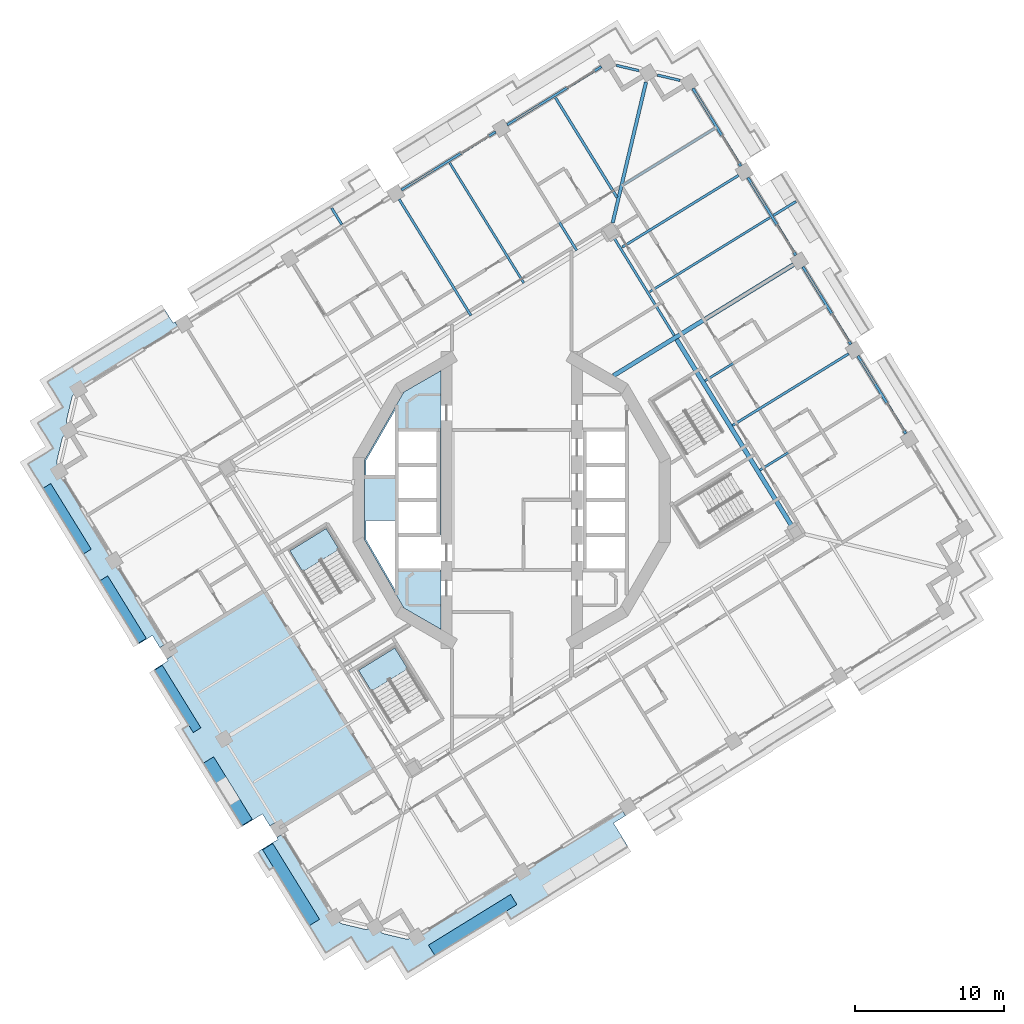
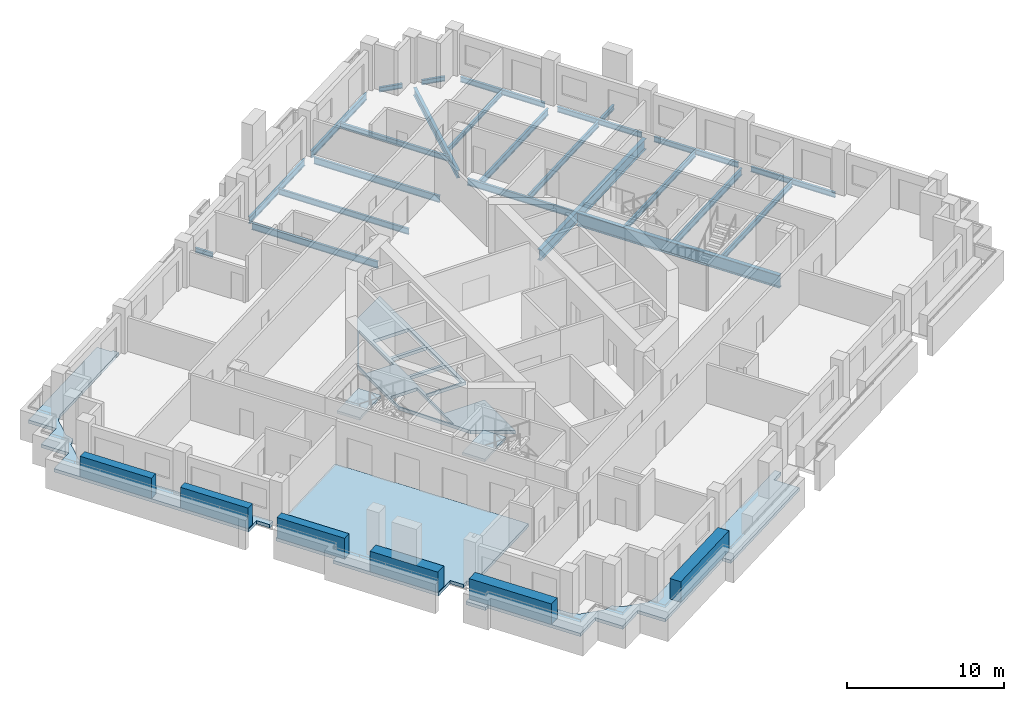
# One storey, part 2 of 20: 24 beams, 6 plates, 6 slabs, 2 elements without a shape of their own.
"""IFC4 building model written with IfcOpenShell, lengths in metres."""

from ifc_helpers import new_model, si_unit, direction, frame, origin, origin_2d, place, context, subcontext, project, spatial, polyline, rectangle, i_section, outline, extrude, material, layer, layer_set, material_profile, profile_set, type_object, element, aggregate, save


model = new_model("IFC4")

# Units and contexts
model_context = context("Model", 3, precision=1e-05, world=origin(), true_north=direction((0.0, 1.0)))
body_context = subcontext(model_context, "Body", "Model", "MODEL_VIEW")
ifc_project = project(units=[si_unit("LENGTHUNIT", "METRE"), si_unit("AREAUNIT", "SQUARE_METRE"), si_unit("VOLUMEUNIT", "CUBIC_METRE"), si_unit("PLANEANGLEUNIT", "RADIAN"), si_unit("MASSUNIT", "GRAM", prefix="KILO")], contexts=[model_context])

# Site, building, storey
site_placement = place(None, origin())
site = spatial("IfcSite", under=ifc_project, at=site_placement, CompositionType="ELEMENT")
building_placement = place(site_placement, origin())
building = spatial("IfcBuilding", under=site, at=building_placement, Name="Cantera Rosa Tower", CompositionType="ELEMENT")
storey_placement = place(building_placement, frame((0.0, 0.0, 159.0)))
storey = spatial("IfcBuildingStorey", under=building, at=storey_placement, Name="L34", CompositionType="ELEMENT", Elevation=159.0)

# Beams
ifc_material_1 = material(Name="Steel ASTM A992 (Fy 345 MPa)", Category="steel")
ifc_material_profile_1 = material_profile(ifc_material_1, i_section(OverallWidth=0.300048828125, OverallDepth=0.990966796875, WebThickness=0.0166015625, FlangeThickness=0.030517578125, FilletRadius=0.030029296875, at=origin_2d()), Name="W1000X272")
ifc_profile_set_1 = profile_set([ifc_material_profile_1], Name="Steel ASTM A992 (Fy 345 MPa)")
beam_type_1 = type_object("IfcBeamType", Name="STEEL BEAM W1000X272", PredefinedType="BEAM", material=ifc_profile_set_1)
beam_1_placement = place(storey_placement, frame((18.767822265625, -1.75927734375, -0.74560546875), z_axis=(-0.524974072618, 0.851118219215, 0.0), x_axis=(-0.851118219215, -0.524974072618, 0.0)))
element("IfcBeam", 1, at=beam_1_placement, inside=storey, type_object=beam_type_1, Name="RB-Z3-05 L34", PredefinedType="BEAM", context=body_context, shape_type="SweptSolid", body=[
    extrude(i_section(OverallWidth=0.300048828125, OverallDepth=0.990966796875, WebThickness=0.0166015625, FlangeThickness=0.030517578125, FilletRadius=0.030029296875, at=origin_2d()), origin(), (0.0, 0.0, 1.0), 14.7099609375),
])
ifc_material_2 = material(Name="Steel ASTM A992 (Fy 345 MPa)", Category="steel")
ifc_material_profile_2 = material_profile(ifc_material_2, i_section(OverallWidth=0.166015625, OverallDepth=0.528076171875, WebThickness=0.009765625, FlangeThickness=0.013671875, FilletRadius=0.0126953125, at=origin_2d()), Name="W530X74")
ifc_profile_set_2 = profile_set([ifc_material_profile_2], Name="Steel ASTM A992 (Fy 345 MPa)")
beam_type_2 = type_object("IfcBeamType", Name="STEEL BEAM W530X74", PredefinedType="BEAM", material=ifc_profile_set_2)
for number, where, z_axis, x_axis, name in (
    (2, (22.5673828125, 9.795654296875, -0.513916015625), (-0.851123779764, -0.524965057427, 0.0), (0.524965057427, -0.851123779764, 0.0), "G-Z3-02 L34"),
    (3, (15.19677734375, 21.745361328125, -0.513916015625), (-0.851123779764, -0.524965057427, 0.0), (0.524965057427, -0.851123779764, 0.0), "G-Z3-04 L34"),
):
    element("IfcBeam", number, at=place(storey_placement, frame(where, z_axis=z_axis, x_axis=x_axis)), inside=storey, type_object=beam_type_2, Name=name, PredefinedType="BEAM", context=body_context, shape_type="SweptSolid", body=[
        extrude(i_section(OverallWidth=0.166015625, OverallDepth=0.528076171875, WebThickness=0.009765625, FlangeThickness=0.013671875, FilletRadius=0.0126953125, at=origin_2d()), origin(), (0.0, 0.0, 1.0), 9.150146484375),
    ])
beam_2_placement = place(storey_placement, frame((-0.455078125, 24.51025390625, -0.513916015625), z_axis=(0.524976979362, -0.851116426313, 0.0), x_axis=(0.851116426313, 0.524976979362, 0.0)))
element("IfcBeam", 4, at=beam_2_placement, inside=storey, type_object=beam_type_2, Name="G-Z3-05 L34", PredefinedType="BEAM", context=body_context, shape_type="SweptSolid", body=[
    extrude(i_section(OverallWidth=0.166015625, OverallDepth=0.528076171875, WebThickness=0.009765625, FlangeThickness=0.013671875, FilletRadius=0.0126953125, at=origin_2d()), origin(), (0.0, 0.0, 1.0), 9.14990234375),
])
beam_3_placement = place(storey_placement, frame((-7.536376953125, 20.142578125, -0.513916015625), z_axis=(0.524965057427, -0.851123779764, 0.0), x_axis=(0.851123779764, 0.524965057427, 0.0)))
element("IfcBeam", 5, at=beam_3_placement, inside=storey, type_object=beam_type_2, Name="G-Z3-06 L34", PredefinedType="BEAM", context=body_context, shape_type="SweptSolid", body=[
    extrude(i_section(OverallWidth=0.166015625, OverallDepth=0.528076171875, WebThickness=0.009765625, FlangeThickness=0.013671875, FilletRadius=0.0126953125, at=origin_2d()), origin(), (0.0, 0.0, 1.0), 9.150146484375),
])
beam_4_placement = place(storey_placement, frame((10.887939453125, 11.015869140625, -0.513916015625), z_axis=(-0.52497571981, 0.851117203216, 0.0), x_axis=(-0.851117203216, -0.52497571981, 0.0)))
element("IfcBeam", 6, at=beam_4_placement, inside=storey, type_object=beam_type_2, Name="RB-Z3-06 L34", PredefinedType="BEAM", context=body_context, shape_type="SweptSolid", body=[
    extrude(i_section(OverallWidth=0.166015625, OverallDepth=0.528076171875, WebThickness=0.009765625, FlangeThickness=0.013671875, FilletRadius=0.0126953125, at=origin_2d()), origin(), (0.0, 0.0, 1.0), 7.690185546875),
])
ifc_material_3 = material(Name="Steel ASTM A992 (Fy 345 MPa)", Category="steel")
ifc_material_profile_3 = material_profile(ifc_material_3, i_section(OverallWidth=0.22802734375, OverallDepth=0.60205078125, WebThickness=0.010498046875, FlangeThickness=0.014892578125, FilletRadius=0.0126953125, at=origin_2d()), Name="W610X101")
ifc_profile_set_3 = profile_set([ifc_material_profile_3], Name="Steel ASTM A992 (Fy 345 MPa)")
beam_type_3 = type_object("IfcBeamType", Name="STEEL BEAM W610X101", PredefinedType="BEAM", material=ifc_profile_set_3)
beam_5_placement = place(storey_placement, frame((8.995361328125, 27.989501953125, -0.551025390625), z_axis=(-0.230622120091, -0.973043389436, 0.0), x_axis=(0.973043389436, -0.230622120091, 0.0)))
element("IfcBeam", 7, at=beam_5_placement, inside=storey, type_object=beam_type_3, Name="CB-Z3-01 L34", PredefinedType="BEAM", context=body_context, shape_type="SweptSolid", body=[
    extrude(i_section(OverallWidth=0.22802734375, OverallDepth=0.60205078125, WebThickness=0.010498046875, FlangeThickness=0.014892578125, FilletRadius=0.0126953125, at=origin_2d()), origin(), (0.0, 0.0, 1.0), 9.6875),
])
ifc_material_4 = material(Name="Steel ASTM A992 (Fy 345 MPa)", Category="steel")
ifc_material_profile_4 = material_profile(ifc_material_4, i_section(OverallWidth=0.2919921875, OverallDepth=0.8359375, WebThickness=0.013916015625, FlangeThickness=0.018798828125, FilletRadius=0.017822265625, at=origin_2d()), Name="W840X176")
ifc_profile_set_4 = profile_set([ifc_material_profile_4], Name="Steel ASTM A992 (Fy 345 MPa)")
beam_type_4 = type_object("IfcBeamType", Name="STEEL BEAM W840X176", PredefinedType="BEAM", material=ifc_profile_set_4)
beam_6_placement = place(storey_placement, frame((18.882080078125, 15.7705078125, -0.66796875), z_axis=(-0.8511231456, -0.524966085595, 0.0), x_axis=(0.524966085595, -0.8511231456, 0.0)))
element("IfcBeam", 8, at=beam_6_placement, inside=storey, type_object=beam_type_4, Name="G-Z3-03 L34", PredefinedType="BEAM", context=body_context, shape_type="SweptSolid", body=[
    extrude(i_section(OverallWidth=0.2919921875, OverallDepth=0.8359375, WebThickness=0.013916015625, FlangeThickness=0.018798828125, FilletRadius=0.017822265625, at=origin_2d()), origin(), (0.0, 0.0, 1.0), 14.17138671875),
])
ifc_material_5 = material(Name="Steel ASTM A992 (Fy 345 MPa)", Category="steel")
ifc_material_profile_5 = material_profile(ifc_material_5, i_section(OverallWidth=0.1708984375, OverallDepth=0.35595703125, WebThickness=0.00732421875, FlangeThickness=0.01171875, FilletRadius=0.010009765625, at=origin_2d()), Name="W360X51")
ifc_profile_set_5 = profile_set([ifc_material_profile_5], Name="Steel ASTM A992 (Fy 345 MPa)")
beam_type_5 = type_object("IfcBeamType", Name="STEEL JOIST W360X51", PredefinedType="JOIST", material=ifc_profile_set_5)
beam_7_placement = place(storey_placement, frame((13.609375, 24.890380859375, -0.427978515625), z_axis=(-0.851109089911, -0.524988873283, 0.0), x_axis=(0.524988873283, -0.851109089911, 0.0)))
element("IfcBeam", 9, at=beam_7_placement, inside=storey, type_object=beam_type_5, Name="B-Z3-05 L34", PredefinedType="JOIST", context=body_context, shape_type="SweptSolid", body=[
    extrude(i_section(OverallWidth=0.1708984375, OverallDepth=0.35595703125, WebThickness=0.00732421875, FlangeThickness=0.01171875, FilletRadius=0.010009765625, at=origin_2d()), origin(), (0.0, 0.0, 1.0), 7.2099609375),
])
beam_8_placement = place(storey_placement, frame((-11.381591796875, 18.4521484375, -0.427978515625), z_axis=(-0.524836157482, 0.851203270552, 0.0), x_axis=(-0.851203270552, -0.524836157482, 0.0)))
element("IfcBeam", 10, at=beam_8_placement, inside=storey, type_object=beam_type_5, Name="BS-Z3-07 L34", PredefinedType="JOIST", context=body_context, shape_type="SweptSolid", body=[
    extrude(i_section(OverallWidth=0.1708984375, OverallDepth=0.35595703125, WebThickness=0.00732421875, FlangeThickness=0.01171875, FilletRadius=0.010009765625, at=origin_2d()), origin(), (0.0, 0.0, 1.0), 1.290283203125),
])
beam_9_placement = place(storey_placement, frame((17.532958984375, 19.0625, -0.427978515625), z_axis=(0.851142135145, 0.524935296756, 0.0), x_axis=(-0.524935296756, 0.851142135145, 0.0)))
element("IfcBeam", 11, at=beam_9_placement, inside=storey, type_object=beam_type_5, Name="BS-Z3-09 L34", PredefinedType="JOIST", context=body_context, shape_type="SweptSolid", body=[
    extrude(i_section(OverallWidth=0.1708984375, OverallDepth=0.35595703125, WebThickness=0.00732421875, FlangeThickness=0.01171875, FilletRadius=0.010009765625, at=origin_2d()), origin(), (0.0, 0.0, 1.0), 1.771484375),
])
ifc_material_6 = material(Name="Steel ASTM A992 (Fy 345 MPa)", Category="steel")
ifc_material_profile_6 = material_profile(ifc_material_6, i_section(OverallWidth=0.177978515625, OverallDepth=0.406005859375, WebThickness=0.0078125, FlangeThickness=0.0126953125, FilletRadius=0.01025390625, at=origin_2d()), Name="W410X60")
ifc_profile_set_6 = profile_set([ifc_material_profile_6], Name="Steel ASTM A992 (Fy 345 MPa)")
beam_type_6 = type_object("IfcBeamType", Name="STEEL JOIST W410X60", PredefinedType="JOIST", material=ifc_profile_set_6)
beam_10_placement = place(storey_placement, frame((2.927978515625, 26.949462890625, -0.452880859375), z_axis=(0.524994840515, -0.85110540912, 0.0), x_axis=(0.85110540912, 0.524994840515, 0.0)))
element("IfcBeam", 12, at=beam_10_placement, inside=storey, type_object=beam_type_6, Name="B-Z3-06 L34", PredefinedType="JOIST", context=body_context, shape_type="SweptSolid", body=[
    extrude(i_section(OverallWidth=0.177978515625, OverallDepth=0.406005859375, WebThickness=0.0078125, FlangeThickness=0.0126953125, FilletRadius=0.01025390625, at=origin_2d()), origin(), (0.0, 0.0, 1.0), 7.860107421875),
])
ifc_material_7 = material(Name="Steel ASTM A992 (Fy 345 MPa)", Category="steel")
ifc_material_profile_7 = material_profile(ifc_material_7, i_section(OverallWidth=0.154052734375, OverallDepth=0.4599609375, WebThickness=0.009033203125, FlangeThickness=0.015380859375, FilletRadius=0.01025390625, at=origin_2d()), Name="W460X68")
ifc_profile_set_7 = profile_set([ifc_material_profile_7], Name="Steel ASTM A992 (Fy 345 MPa)")
beam_type_7 = type_object("IfcBeamType", Name="STEEL JOIST W460X68", PredefinedType="JOIST", material=ifc_profile_set_7)
for number, where, z_axis, x_axis, name in (
    (13, (24.665283203125, 6.9658203125, -0.47998046875), (-0.851118539758, -0.524973552935, 0.0), (0.524973552935, -0.851118539758, 0.0), "B-Z3-02 L34"),
    (14, (20.97998046875, 12.940673828125, -0.47998046875), (-0.851118539758, -0.524973552935, 0.0), (0.524973552935, -0.851118539758, 0.0), "B-Z3-03 L34"),
    (15, (17.294677734375, 18.91552734375, -0.47998046875), (-0.851118539758, -0.524973552935, 0.0), (0.524973552935, -0.851118539758, 0.0), "B-Z3-04 L34"),
):
    element("IfcBeam", number, at=place(storey_placement, frame(where, z_axis=z_axis, x_axis=x_axis)), inside=storey, type_object=beam_type_7, Name=name, PredefinedType="JOIST", context=body_context, shape_type="SweptSolid", body=[
        extrude(i_section(OverallWidth=0.154052734375, OverallDepth=0.4599609375, WebThickness=0.009033203125, FlangeThickness=0.015380859375, FilletRadius=0.01025390625, at=origin_2d()), origin(), (0.0, 0.0, 1.0), 9.449951171875),
    ])
beam_11_placement = place(storey_placement, frame((-4.1533203125, 22.581787109375, -0.47998046875), z_axis=(0.524980724235, -0.851114116427, 0.0), x_axis=(0.851114116427, 0.524980724235, 0.0)))
element("IfcBeam", 16, at=beam_11_placement, inside=storey, type_object=beam_type_7, Name="B-Z3-07 L34", PredefinedType="JOIST", context=body_context, shape_type="SweptSolid", body=[
    extrude(i_section(OverallWidth=0.154052734375, OverallDepth=0.4599609375, WebThickness=0.009033203125, FlangeThickness=0.015380859375, FilletRadius=0.01025390625, at=origin_2d()), origin(), (0.0, 0.0, 1.0), 9.4501953125),
])
ifc_material_8 = material(Name="Steel ASTM A992 (Fy 345 MPa)", Category="steel")
ifc_material_profile_8 = material_profile(ifc_material_8, i_section(OverallWidth=0.1708984375, OverallDepth=0.35595703125, WebThickness=0.00732421875, FlangeThickness=0.01171875, FilletRadius=0.010009765625, at=origin_2d()), Name="W360X51")
ifc_profile_set_8 = profile_set([ifc_material_profile_8], Name="Steel ASTM A992 (Fy 345 MPa)")
beam_type_8 = type_object("IfcBeamType", Name="STEEL SPANDREL BEAM W360X51", PredefinedType="SPANDREL", material=ifc_profile_set_8)
for number, where, z_axis, x_axis, name in (
    (17, (11.275146484375, 28.103271484375, -0.427978515625), (-0.973059906546, 0.230552419793, 0.0), (-0.230552419793, -0.973059906546, 0.0), "EB-Z3-06 L34"),
    (18, (8.52294921875, 28.755615234375, -0.427978515625), (-0.973059906546, 0.230552419793, 0.0), (-0.230552419793, -0.973059906546, 0.0), "EB-Z3-07 L34"),
):
    element("IfcBeam", number, at=place(storey_placement, frame(where, z_axis=z_axis, x_axis=x_axis)), inside=storey, type_object=beam_type_8, Name=name, PredefinedType="SPANDREL", context=body_context, shape_type="SweptSolid", body=[
        extrude(i_section(OverallWidth=0.1708984375, OverallDepth=0.35595703125, WebThickness=0.00732421875, FlangeThickness=0.01171875, FilletRadius=0.010009765625, at=origin_2d()), origin(), (0.0, 0.0, 1.0), 1.5556640625),
    ])
ifc_material_9 = material(Name="Steel ASTM A992 (Fy 345 MPa)", Category="steel")
ifc_material_profile_9 = material_profile(ifc_material_9, i_section(OverallWidth=0.177978515625, OverallDepth=0.406005859375, WebThickness=0.0078125, FlangeThickness=0.0126953125, FilletRadius=0.01025390625, at=origin_2d()), Name="W410X60")
ifc_profile_set_9 = profile_set([ifc_material_profile_9], Name="Steel ASTM A992 (Fy 345 MPa)")
beam_type_9 = type_object("IfcBeamType", Name="STEEL SPANDREL BEAM W410X60", PredefinedType="SPANDREL", material=ifc_profile_set_9)
for number, where, z_axis, x_axis, name in (
    (19, (26.3994140625, 4.440185546875, -0.452880859375), (-0.524987447654, 0.851109969279, 0.0), (-0.851109969279, -0.524987447654, 0.0), "EB-Z3-02 L34"),
    (20, (22.714111328125, 10.4150390625, -0.452880859375), (-0.524987447654, 0.851109969279, 0.0), (-0.851109969279, -0.524987447654, 0.0), "EB-Z3-03 L34"),
    (21, (19.02880859375, 16.389892578125, -0.452880859375), (-0.524987447654, 0.851109969279, 0.0), (-0.851109969279, -0.524987447654, 0.0), "EB-Z3-04 L34"),
    (22, (15.343505859375, 22.36474609375, -0.452880859375), (-0.524987447654, 0.851109969279, 0.0), (-0.851109969279, -0.524987447654, 0.0), "EB-Z3-05 L34"),
):
    element("IfcBeam", number, at=place(storey_placement, frame(where, z_axis=z_axis, x_axis=x_axis)), inside=storey, type_object=beam_type_9, Name=name, PredefinedType="SPANDREL", context=body_context, shape_type="SweptSolid", body=[
        extrude(i_section(OverallWidth=0.177978515625, OverallDepth=0.406005859375, WebThickness=0.0078125, FlangeThickness=0.0126953125, FilletRadius=0.01025390625, at=origin_2d()), origin(), (0.0, 0.0, 1.0), 6.119873046875),
    ])
ifc_material_10 = material(Name="Steel ASTM A992 (Fy 345 MPa)", Category="steel")
ifc_material_profile_10 = material_profile(ifc_material_10, i_section(OverallWidth=0.166015625, OverallDepth=0.528076171875, WebThickness=0.009765625, FlangeThickness=0.013671875, FilletRadius=0.0126953125, at=origin_2d()), Name="W530X74")
ifc_profile_set_10 = profile_set([ifc_material_profile_10], Name="Steel ASTM A992 (Fy 345 MPa)")
beam_type_10 = type_object("IfcBeamType", Name="STEEL SPANDREL BEAM W530X74", PredefinedType="SPANDREL", material=ifc_profile_set_10)
for number, where, z_axis, x_axis, name in (
    (23, (6.007080078125, 29.02490234375, -0.513916015625), (-0.851111085575, -0.524985637909, 0.0), (0.524985637909, -0.851111085575, 0.0), "EB-Z3-08 L34"),
    (24, (-1.07421875, 24.656982421875, -0.513916015625), (-0.85112578684, -0.524961803349, 0.0), (0.524961803349, -0.85112578684, 0.0), "EB-Z3-09 L34"),
):
    element("IfcBeam", number, at=place(storey_placement, frame(where, z_axis=z_axis, x_axis=x_axis)), inside=storey, type_object=beam_type_10, Name=name, PredefinedType="SPANDREL", context=body_context, shape_type="SweptSolid", body=[
        extrude(i_section(OverallWidth=0.166015625, OverallDepth=0.528076171875, WebThickness=0.009765625, FlangeThickness=0.013671875, FilletRadius=0.0126953125, at=origin_2d()), origin(), (0.0, 0.0, 1.0), 7.420166015625),
    ])

# Slabs
ifc_material_11 = material(Name="Concrete C35/45", Category="concrete")
ifc_layer_1 = layer(ifc_material_11, 0.25)
ifc_layer_set_1 = layer_set([ifc_layer_1], Name="COMPOSITE FLOOR SLAB 250 C35/45")
slab_type_1 = type_object("IfcSlabType", Name="COMPOSITE FLOOR SLAB 250 C35/45", PredefinedType="FLOOR", material=ifc_layer_set_1)
slab_1_placement = place(storey_placement, frame((0.0, 0.0, -0.25)))
element("IfcSlab", 25, at=slab_1_placement, inside=storey, type_object=slab_type_1, Name="SLAB L34 floor 1", PredefinedType="FLOOR", context=body_context, shape_type="SweptSolid", body=[
    extrude(outline(polyline([(-4.75, 8.660400390625), (-4.75, -2.35009765625), (-7.699951171875, -2.35009765625), (-7.699951171875, -4.699951171875), (-4.75, -4.699951171875), (-4.75, -8.660400390625), (-7.22900390625, -7.22900390625), (-9.875244140625, -2.64599609375), (-9.875244140625, 2.64599609375), (-7.22900390625, 7.22900390625), (-4.75, 8.660400390625)]), holes=[polyline([(-9.775146484375, -1.3828125), (-9.775146484375, -2.619384765625), (-7.800048828125, -6.040283203125), (-7.800048828125, -1.3828125), (-9.775146484375, -1.3828125)]), polyline([(-7.60009765625, -2.25), (-5.0, -2.25), (-5.0, -0.10009765625), (-7.60009765625, -0.10009765625), (-7.60009765625, -2.25)]), polyline([(-7.60009765625, 0.10009765625), (-5.0, 0.10009765625), (-5.0, 2.25), (-7.60009765625, 2.25), (-7.60009765625, 0.10009765625)]), polyline([(-7.60009765625, 2.449951171875), (-5.0, 2.449951171875), (-5.0, 4.60009765625), (-7.60009765625, 4.60009765625), (-7.60009765625, 2.449951171875)]), polyline([(-7.800048828125, 6.040283203125), (-9.775146484375, 2.619384765625), (-9.775146484375, 1.639404296875), (-7.800048828125, 1.639404296875), (-7.800048828125, 6.040283203125)])]), origin(), (0.0, 0.0, 1.0), 0.25),
])
ifc_material_12 = material(Name="Concrete C35/45", Category="concrete")
ifc_layer_2 = layer(ifc_material_12, 0.25)
ifc_layer_set_2 = layer_set([ifc_layer_2], Name="LOGGIA SLAB 250 C35/45")
slab_type_2 = type_object("IfcSlabType", Name="LOGGIA SLAB 250 C35/45", PredefinedType="FLOOR", material=ifc_layer_set_2)
slab_2_placement = place(storey_placement, frame((0.0, 0.0, -0.25)))
element("IfcSlab", 26, at=slab_2_placement, inside=storey, type_object=slab_type_2, Name="LOGGIA SLAB L34 1", PredefinedType="FLOOR", context=body_context, shape_type="SweptSolid", body=[
    extrude(outline(polyline([(-32.38525390625, 2.406982421875), (-31.1083984375, 3.1943359375), (-30.682861328125, 3.456787109375), (-30.9453125, 3.88232421875), (-31.73291015625, 5.1591796875), (-30.456298828125, 5.946533203125), (-30.03076171875, 6.208984375), (-30.293212890625, 6.634521484375), (-31.08056640625, 7.911376953125), (-29.803955078125, 8.69873046875), (-23.999267578125, 12.279052734375), (-23.2333984375, 12.75146484375), (-22.68212890625, 11.85791015625), (-22.554443359375, 11.9365234375), (-22.318115234375, 11.5537109375), (-29.0166015625, 7.422119140625), (-29.38818359375, 7.00146484375), (-29.406494140625, 6.978515625), (-29.422607421875, 6.953857421875), (-29.43603515625, 6.927490234375), (-29.447021484375, 6.900390625), (-29.455078125, 6.8720703125), (-29.81396484375, 5.3583984375), (-29.8193359375, 5.329345703125), (-29.82177734375, 5.300048828125), (-29.8212890625, 5.2705078125), (-29.818115234375, 5.2412109375), (-29.81201171875, 5.21240234375), (-29.668701171875, 4.669921875), (-30.040283203125, 4.249267578125), (-30.05859375, 4.226318359375), (-30.07470703125, 4.20166015625), (-30.08837890625, 4.17529296875), (-30.09912109375, 4.148193359375), (-30.107421875, 4.119873046875), (-30.46630859375, 2.606201171875), (-30.4716796875, 2.5771484375), (-30.47412109375, 2.5478515625), (-30.4736328125, 2.518310546875), (-30.470458984375, 2.489013671875), (-30.46435546875, 2.460205078125), (-30.321044921875, 1.917724609375), (-23.1865234375, -9.64892578125), (-23.569580078125, -9.88525390625), (-24.068359375, -9.07666015625), (-24.98828125, -9.64404296875), (-25.05712890625, -9.53271484375), (-25.03076171875, -9.5166015625), (-27.125, -6.121337890625), (-28.69970703125, -3.568115234375), (-31.59765625, 1.130126953125), (-32.38525390625, 2.406982421875)])), origin(), (0.0, 0.0, 1.0), 0.25),
])
slab_3_placement = place(storey_placement, frame((0.0, 0.0, -0.25)))
element("IfcSlab", 27, at=slab_3_placement, inside=storey, type_object=slab_type_2, Name="LOGGIA SLAB L34 3", PredefinedType="FLOOR", context=body_context, shape_type="SweptSolid", body=[
    extrude(outline(polyline([(-7.8369140625, -30.153564453125), (-7.994384765625, -29.898193359375), (-8.249755859375, -30.0556640625), (-9.696533203125, -30.9482421875), (-10.589111328125, -29.501220703125), (-10.74658203125, -29.245849609375), (-11.001953125, -29.4033203125), (-12.44873046875, -30.2958984375), (-13.34130859375, -28.84912109375), (-15.96533203125, -24.5947265625), (-16.239013671875, -24.763427734375), (-16.985107421875, -23.5537109375), (-15.647705078125, -22.728515625), (-15.7265625, -22.600830078125), (-15.343505859375, -22.36474609375), (-12.408935546875, -27.122314453125), (-11.894287109375, -27.95654296875), (-11.4736328125, -28.328125), (-11.45068359375, -28.346435546875), (-11.426025390625, -28.362548828125), (-11.39990234375, -28.376220703125), (-11.37255859375, -28.386962890625), (-11.34423828125, -28.395263671875), (-9.83056640625, -28.75390625), (-9.801513671875, -28.75927734375), (-9.772216796875, -28.76171875), (-9.742919921875, -28.761474609375), (-9.713623046875, -28.75830078125), (-9.684814453125, -28.752197265625), (-9.14208984375, -28.60888671875), (-8.721435546875, -28.98046875), (-8.698486328125, -28.998779296875), (-8.673828125, -29.014892578125), (-8.647705078125, -29.0283203125), (-8.620361328125, -29.039306640625), (-8.592041015625, -29.047607421875), (-7.078369140625, -29.40625), (-7.049560546875, -29.41162109375), (-7.02001953125, -29.4140625), (-6.99072265625, -29.413818359375), (-6.96142578125, -29.410400390625), (-6.9326171875, -29.404296875), (-6.389892578125, -29.260986328125), (7.3896484375, -20.76171875), (7.625732421875, -21.144775390625), (6.8173828125, -21.643310546875), (7.78369140625, -23.210205078125), (-0.055908203125, -28.04541015625), (-0.365966796875, -27.542724609375), (-5.49755859375, -30.7080078125), (-6.9443359375, -31.600341796875), (-7.8369140625, -30.153564453125)])), origin(), (0.0, 0.0, 1.0), 0.25),
])

# Plates
ifc_material_13 = material(Name="Cantera stone planter with soil", Category="masonry")
plate_type_1 = type_object("IfcPlateType", Name="PLANTER 600", PredefinedType="USERDEFINED", material=ifc_material_13)
plate_1_placement = place(storey_placement, frame((-29.775390625, -1.2529296875, 0.0), z_axis=(0.0, 0.0, 1.0), x_axis=(0.52497658034, -0.851116672434, 0.0)))
element("IfcPlate", 28, at=plate_1_placement, inside=storey, type_object=plate_type_1, Name="PLANTER L34-11", ObjectType="PLANTER", PredefinedType="USERDEFINED", context=body_context, shape_type="SweptSolid", body=[
    extrude(rectangle(XDim=5.169921875, YDim=0.60009765625, at=origin_2d()), origin(), (0.0, 0.0, 1.0), 1.60009765625),
])
for number, where, z_axis, x_axis, name in (
    (29, (-26.0244140625, -7.333984375, 0.0), (0.0, 0.0, 1.0), (0.52497658034, -0.851116672434, 0.0), "PLANTER L34-12"),
    (30, (-22.365478515625, -13.3251953125, 0.0), (0.0, 0.0, 1.0), (0.52497658034, -0.851116672434, 0.0), "PLANTER L34-13"),
):
    element("IfcPlate", number, at=place(storey_placement, frame(where, z_axis=z_axis, x_axis=x_axis)), inside=storey, type_object=plate_type_1, Name=name, ObjectType="PLANTER", PredefinedType="USERDEFINED", context=body_context, shape_type="SweptSolid", body=[
        extrude(rectangle(XDim=4.919921875, YDim=0.60009765625, at=origin_2d()), origin(), (0.0, 0.0, 1.0), 1.60009765625),
    ])
ifc_material_14 = material(Name="Cantera stone planter with soil", Category="masonry")
plate_type_2 = type_object("IfcPlateType", Name="PLANTER 800", PredefinedType="USERDEFINED", material=ifc_material_14)
plate_2_placement = place(storey_placement, frame((-19.012451171875, -19.505126953125, 0.0), z_axis=(0.0, 0.0, 1.0), x_axis=(0.52497658034, -0.851116672434, 0.0)))
element("IfcPlate", 31, at=plate_2_placement, inside=storey, type_object=plate_type_2, Name="PLANTER L34-14", ObjectType="PLANTER", PredefinedType="USERDEFINED", context=body_context, shape_type="SweptSolid", body=[
    extrude(rectangle(XDim=4.919921875, YDim=0.800048828125, at=origin_2d()), origin(), (0.0, 0.0, 1.0), 1.60009765625),
])
plate_3_placement = place(storey_placement, frame((-14.77783203125, -25.758056640625, 0.0), z_axis=(0.0, 0.0, 1.0), x_axis=(0.52497658034, -0.851116672434, 0.0)))
element("IfcPlate", 32, at=plate_3_placement, inside=storey, type_object=plate_type_2, Name="PLANTER L34-15", ObjectType="PLANTER", PredefinedType="USERDEFINED", context=body_context, shape_type="SweptSolid", body=[
    extrude(rectangle(XDim=5.969970703125, YDim=0.800048828125, at=origin_2d()), origin(), (0.0, 0.0, 1.0), 1.60009765625),
])
plate_4_placement = place(storey_placement, frame((-2.61376953125, -28.459228515625, 0.0), z_axis=(0.0, 0.0, 1.0), x_axis=(0.851116672434, 0.52497658034, 0.0)))
element("IfcPlate", 33, at=plate_4_placement, inside=storey, type_object=plate_type_2, Name="PLANTER L34-16", ObjectType="PLANTER", PredefinedType="USERDEFINED", context=body_context, shape_type="SweptSolid", body=[
    extrude(rectangle(XDim=6.469970703125, YDim=0.800048828125, at=origin_2d()), origin(), (0.0, 0.0, 1.0), 1.60009765625),
])

# Stair, slab
ifc_material_15 = material(Name="Concrete C35/45", Category="concrete")
stair_type = type_object("IfcStairType", Name="EXIT STAIR 1350 DOGLEG", PredefinedType="HALF_TURN_STAIR", material=ifc_material_15)
stair_1_placement = place(storey_placement, origin())
stair_1 = element("IfcStair", 34, at=stair_1_placement, inside=storey, type_object=stair_type, Name="L34 ST-32", PredefinedType="HALF_TURN_STAIR")
ifc_material_16 = material(Name="Concrete C35/45", Category="concrete")
ifc_layer_3 = layer(ifc_material_16, 0.199951171875)
ifc_layer_set_3 = layer_set([ifc_layer_3], Name="STAIR LANDING 200")
slab_type_3 = type_object("IfcSlabType", Name="STAIR LANDING 200", PredefinedType="LANDING", material=ifc_layer_set_3)
slab_4_placement = place(storey_placement, frame((0.0, 0.0, 1.699951171875)))
slab_4 = element("IfcSlab", 35, at=slab_4_placement, type_object=slab_type_3, Name="ST-32 landing 1", PredefinedType="LANDING", context=body_context, shape_type="SweptSolid", body=[
    extrude(outline(polyline([(-11.56884765625, -3.308837890625), (-12.430908203125, -1.911376953125), (-14.8564453125, -3.407470703125), (-13.99462890625, -4.80517578125), (-11.56884765625, -3.308837890625)])), origin(), (0.0, 0.0, 1.0), 0.199951171875),
])
aggregate(stair_1, [slab_4])

stair_2_placement = place(storey_placement, origin())
stair_2 = element("IfcStair", 36, at=stair_2_placement, inside=storey, type_object=stair_type, Name="L34 ST-33", PredefinedType="HALF_TURN_STAIR")
slab_5_placement = place(storey_placement, frame((0.0, 0.0, 1.699951171875)))
slab_5 = element("IfcSlab", 37, at=slab_5_placement, type_object=slab_type_3, Name="ST-33 landing 1", PredefinedType="LANDING", context=body_context, shape_type="SweptSolid", body=[
    extrude(outline(polyline([(-6.96875, -11.308837890625), (-7.830810546875, -9.911376953125), (-10.256591796875, -11.407470703125), (-9.39453125, -12.80517578125), (-6.96875, -11.308837890625)])), origin(), (0.0, 0.0, 1.0), 0.199951171875),
])
aggregate(stair_2, [slab_5])

# Slab
ifc_material_17 = material(Name="Concrete C35/45", Category="concrete")
ifc_layer_4 = layer(ifc_material_17, 0.25)
ifc_layer_set_4 = layer_set([ifc_layer_4], Name="TERRACE SLAB 250 C35/45")
slab_type_4 = type_object("IfcSlabType", Name="TERRACE SLAB 250 C35/45", PredefinedType="FLOOR", material=ifc_layer_set_4)
slab_6_placement = place(storey_placement, frame((0.0, 0.0, -0.25)))
element("IfcSlab", 38, at=slab_6_placement, inside=storey, type_object=slab_type_4, Name="TERRACE SLAB L34 1", PredefinedType="FLOOR", context=body_context, shape_type="SweptSolid", body=[
    extrude(outline(polyline([(-23.09716796875, -10.651123046875), (-22.714111328125, -10.4150390625), (-22.950439453125, -10.031982421875), (-16.56689453125, -6.0947265625), (-9.1962890625, -18.04443359375), (-15.57958984375, -21.981689453125), (-15.81591796875, -21.5986328125), (-16.198974609375, -21.8349609375), (-16.69775390625, -21.0263671875), (-18.03515625, -21.851318359375), (-22.046875, -15.347412109375), (-21.62939453125, -15.090087890625), (-23.9384765625, -11.346435546875), (-23.018310546875, -10.77880859375), (-23.09716796875, -10.651123046875)])), origin(), (0.0, 0.0, 1.0), 0.25),
])

save(model, "model.ifc")
